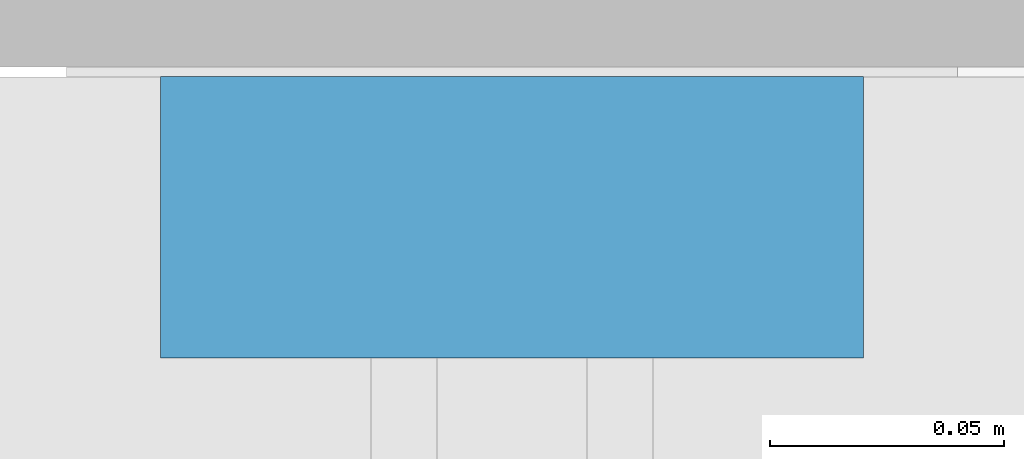
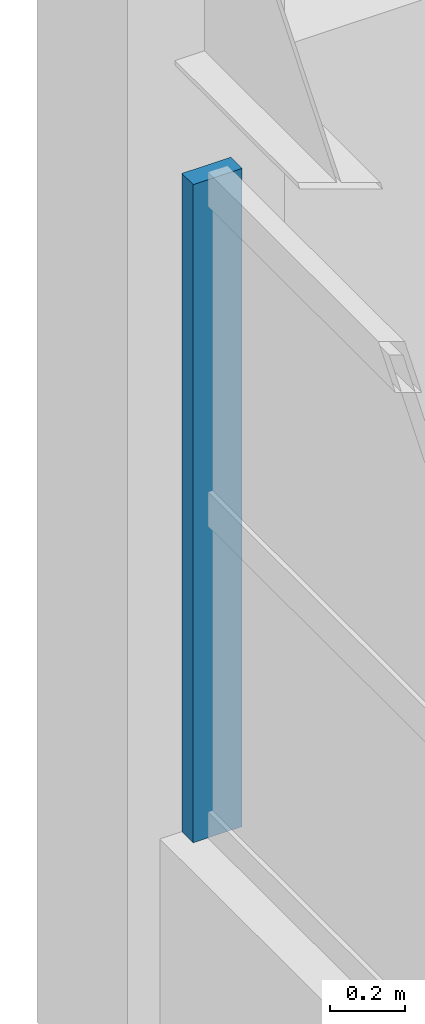
# One storey, part 13 of 79: 1 member, 1 element without a shape of its own.
"""IFC4 building model written with IfcOpenShell, lengths in metres."""

from ifc_helpers import new_model, si_unit, direction, frame, origin, origin_2d, place, context, subcontext, project, spatial, rectangle, extrude, material, material_profile, profile_set, type_object, element, aggregate, save


model = new_model("IFC4")

# Units and contexts
model_context = context("Model", 3, precision=1e-05, world=origin(), true_north=direction((0.0, 1.0)))
body_context = subcontext(model_context, "Body", "Model", "MODEL_VIEW")
ifc_project = project(units=[si_unit("LENGTHUNIT", "METRE"), si_unit("AREAUNIT", "SQUARE_METRE"), si_unit("VOLUMEUNIT", "CUBIC_METRE"), si_unit("PLANEANGLEUNIT", "RADIAN"), si_unit("MASSUNIT", "GRAM", prefix="KILO")], contexts=[model_context])

# Site, building, storey
site_placement = place(None, origin())
site = spatial("IfcSite", under=ifc_project, at=site_placement, CompositionType="ELEMENT")
building_placement = place(site_placement, origin())
building = spatial("IfcBuilding", under=site, at=building_placement, Name="Nzembalo Square Collegiate School", CompositionType="ELEMENT")
storey_placement = place(building_placement, frame((0.0, 0.0, 9.52001953125)))
storey = spatial("IfcBuildingStorey", under=building, at=storey_placement, Name="L02", CompositionType="ELEMENT", Elevation=9.52001953125)

# Curtain wall, member
ifc_material_1 = material(Name="Aluminium 6060-T66", Category="aluminium")
curtain_wall_type = type_object("IfcCurtainWallType", Name="CW-03", PredefinedType="USERDEFINED", material=ifc_material_1)
curtain_wall_placement = place(storey_placement, origin())
curtain_wall = element("IfcCurtainWall", 1, at=curtain_wall_placement, inside=storey, type_object=curtain_wall_type, Name="Curtain wall CW-03 cw:L02:098", ObjectType="UNITISED", PredefinedType="USERDEFINED")
ifc_material_2 = material(Name="Aluminium 6060-T66", Category="aluminium")
ifc_material_profile = material_profile(ifc_material_2, rectangle(XDim=0.06005859375, YDim=0.14990234375, at=origin_2d()), Name="ALU M60x150")
ifc_profile_set = profile_set([ifc_material_profile], Name="Aluminium 6060-T66")
member_type = type_object("IfcMemberType", Name="ML02", PredefinedType="MULLION", material=ifc_profile_set)
member_placement = place(storey_placement, frame((130.800048828125, 50.1279296875, 0.85009765625), z_axis=(0.0, 0.0, 1.0), x_axis=(0.0, 1.0, 0.0)))
member = element("IfcMember", 2, at=member_placement, type_object=member_type, Name="ML02 mullion 5", PredefinedType="MULLION", context=body_context, shape_type="SweptSolid", body=[
    extrude(rectangle(XDim=0.06005859375, YDim=0.14990234375, at=origin_2d()), origin(), (0.0, 0.0, 1.0), 2.12890625),
])
aggregate(curtain_wall, [member])

save(model, "model.ifc")
